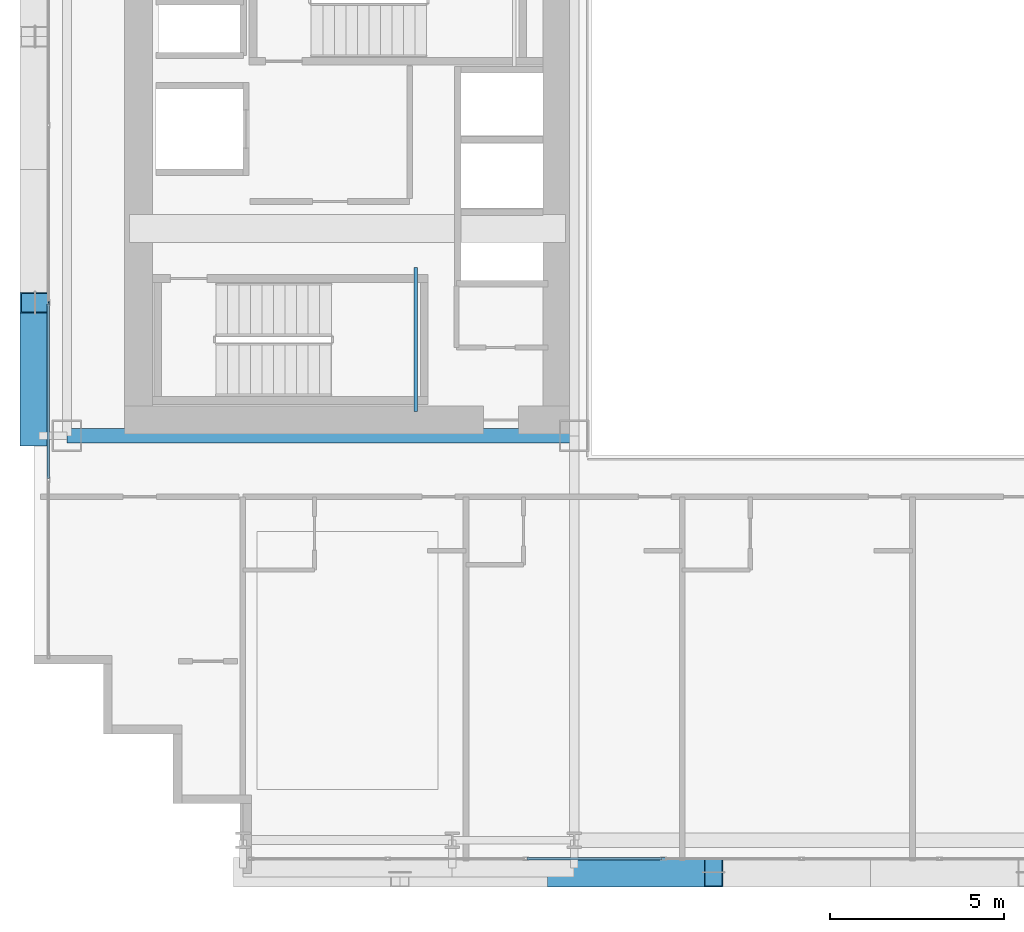
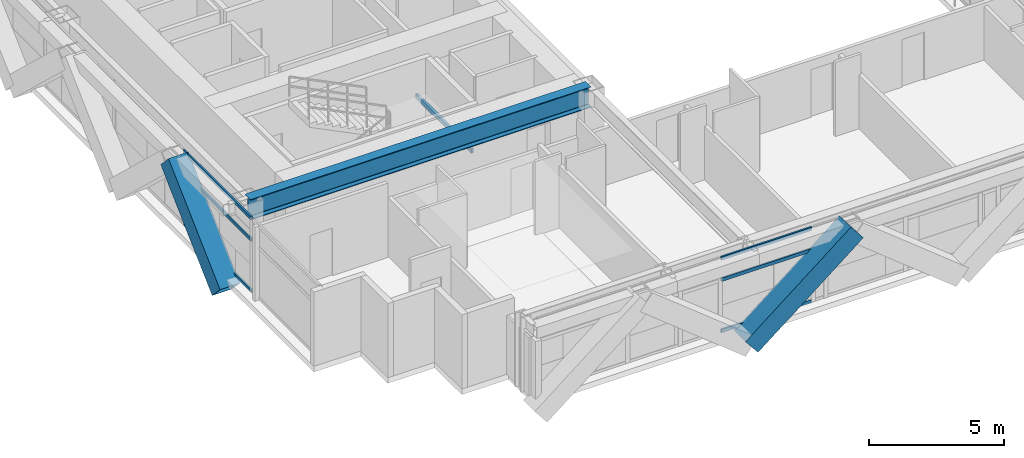
# One storey, part 4 of 35: 8 members, 2 beams, 2 elements without a shape of their own.
"""IFC4 building model written with IfcOpenShell, lengths in metres."""

from ifc_helpers import new_model, si_unit, direction, frame, origin, origin_2d, place, context, subcontext, project, spatial, hollow_rectangle, i_section, extrude, source, transform, mapped, material, layer, layer_set, material_profile, profile_set, type_object, element, aggregate, save


model = new_model("IFC4")

# Units and contexts
model_context = context("Model", 3, precision=1e-05, world=origin(), true_north=direction((0.0, 1.0)))
body_context = subcontext(model_context, "Body", "Model", "MODEL_VIEW")
ifc_project = project(units=[si_unit("LENGTHUNIT", "METRE"), si_unit("AREAUNIT", "SQUARE_METRE"), si_unit("VOLUMEUNIT", "CUBIC_METRE"), si_unit("PLANEANGLEUNIT", "RADIAN"), si_unit("MASSUNIT", "GRAM", prefix="KILO")], contexts=[model_context])

# Site, building, storey
site_placement = place(None, origin())
site = spatial("IfcSite", under=ifc_project, at=site_placement, CompositionType="ELEMENT")
building_placement = place(site_placement, origin())
building = spatial("IfcBuilding", under=site, at=building_placement, Name="Ocotamira Hotel", CompositionType="ELEMENT")
storey_placement = place(building_placement, frame((0.0, 0.0, 49.199951171875)))
storey = spatial("IfcBuildingStorey", under=building, at=storey_placement, Name="L11", CompositionType="ELEMENT", Elevation=49.199951171875)

# Beams
ifc_material_1 = material(Name="Steel ASTM A500 Grade C", Category="steel")
ifc_material_profile_1 = material_profile(ifc_material_1, hollow_rectangle(XDim=0.10009765625, YDim=0.199951171875, WallThickness=0.008056640625, at=origin_2d()), Name="HSS200X100X8")
ifc_profile_set_1 = profile_set([ifc_material_profile_1], Name="Steel ASTM A500 Grade C")
beam_type_1 = type_object("IfcBeamType", Name="BM-STLDG-HSS200", PredefinedType="BEAM", material=ifc_profile_set_1)
shared_shape_1 = source(origin(), body_context, "Body", "SweptSolid", [
    extrude(hollow_rectangle(XDim=0.10009765625, YDim=0.199951171875, WallThickness=0.008056640625, at=origin_2d()), origin(), (0.0, 0.0, 1.0), 4.1201171875),
])
beam_1_placement = place(storey_placement, frame((18.949951171875, 15.25, 1.5), z_axis=(0.0, 1.0, 0.0), x_axis=(-1.0, 0.0, 0.0)))
element("IfcBeam", 1, at=beam_1_placement, inside=storey, type_object=beam_type_1, Name="L11 Stair ST-1 Landing Bearer 1", PredefinedType="BEAM", context=body_context, shape_type="MappedRepresentation", body=[
    mapped(shared_shape_1, transform((0.0, 0.0, 0.0), scale=1.0)),
])
ifc_material_2 = material(Name="Steel ASTM A992 Grade 50", Category="steel")
ifc_material_profile_2 = material_profile(ifc_material_2, i_section(OverallWidth=0.41796875, OverallDepth=0.927001953125, WebThickness=0.019287109375, FlangeThickness=0.031982421875, FilletRadius=0.02392578125, at=origin_2d()), Name="W36X231")
ifc_profile_set_2 = profile_set([ifc_material_profile_2], Name="Steel ASTM A992 Grade 50")
beam_type_2 = type_object("IfcBeamType", Name="BM-GIRD-W36X231", PredefinedType="BEAM", material=ifc_profile_set_2)
shared_shape_2 = source(origin(), body_context, "Body", "SweptSolid", [
    extrude(i_section(OverallWidth=0.41796875, OverallDepth=0.927001953125, WebThickness=0.019287109375, FlangeThickness=0.031982421875, FilletRadius=0.02392578125, at=origin_2d()), origin(), (0.0, 0.0, 1.0), 14.550048828125),
])
beam_2_placement = place(storey_placement, frame((8.949951171875, 14.550048828125, 2.886474609375), z_axis=(1.0, 0.0, 0.0), x_axis=(0.0, 1.0, 0.0)))
element("IfcBeam", 2, at=beam_2_placement, inside=storey, type_object=beam_type_2, Name="L11 Girder Y14.55 X8.95-23.5", PredefinedType="BEAM", context=body_context, shape_type="MappedRepresentation", body=[
    mapped(shared_shape_2, transform((0.0, 0.0, 0.0), scale=1.0)),
])

# Members
ifc_material_3 = material(Name="Pale-metal coated steel ASTM A913 Grade 65", Category="steel")
ifc_material_profile_3 = material_profile(ifc_material_3, hollow_rectangle(XDim=0.85009765625, YDim=0.85009765625, WallThickness=0.035888671875, at=origin_2d()), Name="BOX850X850X36")
ifc_profile_set_3 = profile_set([ifc_material_profile_3], Name="Pale-metal coated steel ASTM A913 Grade 65")
member_type_1 = type_object("IfcMemberType", Name="MEM-EXO-BOX850", PredefinedType="BRACE", material=ifc_profile_set_3)
shared_shape_3 = source(origin(), body_context, "Body", "SweptSolid", [
    extrude(hollow_rectangle(XDim=0.85009765625, YDim=0.85009765625, WallThickness=0.035888671875, at=origin_2d()), origin(), (0.0, 0.0, 1.0), 5.24658203125),
])
member_1_placement = place(storey_placement, frame((8.030029296875, 14.550048828125, -0.5), z_axis=(0.0, 0.727442733726, 0.686168397078), x_axis=(-1.0, 0.0, 0.0)))
element("IfcMember", 3, at=member_1_placement, inside=storey, type_object=member_type_1, Name="L11 Exoskeleton Diagrid W0.1", PredefinedType="BRACE", context=body_context, shape_type="MappedRepresentation", body=[
    mapped(shared_shape_3, transform((0.0, 0.0, 0.0), scale=1.0)),
])
shared_shape_4 = source(origin(), body_context, "Body", "SweptSolid", [
    extrude(hollow_rectangle(XDim=0.85009765625, YDim=0.85009765625, WallThickness=0.035888671875, at=origin_2d()), origin(), (0.0, 0.0, 1.0), 5.762939453125),
])
member_2_placement = place(storey_placement, frame((23.0, 2.030029296875, -0.5), z_axis=(0.780860543151, 0.0, 0.624705380279), x_axis=(0.0, 1.0, 0.0)))
element("IfcMember", 4, at=member_2_placement, inside=storey, type_object=member_type_1, Name="L11 Exoskeleton Diagrid S1.1", PredefinedType="BRACE", context=body_context, shape_type="MappedRepresentation", body=[
    mapped(shared_shape_4, transform((0.0, 0.0, 0.0), scale=1.0)),
])

# Curtain wall, members
ifc_material_4 = material(Name="Anodised pale-metal aluminium and solar glass", Category="aluminium")
ifc_layer = layer(ifc_material_4, 0.179931640625)
ifc_layer_set = layer_set([ifc_layer], Name="Anodised pale-metal aluminium and solar glass")
curtain_wall_type = type_object("IfcCurtainWallType", Name="CW-SYS2-Z1", PredefinedType="NOTDEFINED", material=ifc_layer_set)
curtain_wall_1_placement = place(storey_placement, origin())
curtain_wall_1 = element("IfcCurtainWall", 5, at=curtain_wall_1_placement, inside=storey, type_object=curtain_wall_type, Name="L11 Curtain Wall CW-2 CW-L11-S1", PredefinedType="NOTDEFINED")
ifc_material_5 = material(Name="Anodised pale-metal aluminium 6063-T6", Category="aluminium")
ifc_material_profile_4 = material_profile(ifc_material_5, hollow_rectangle(XDim=0.074951171875, YDim=0.14990234375, WallThickness=0.006103515625, at=origin_2d()), Name="HSS150X75X6")
ifc_profile_set_4 = profile_set([ifc_material_profile_4], Name="Anodised pale-metal aluminium 6063-T6")
member_type_2 = type_object("IfcMemberType", Name="CWT-150X75", PredefinedType="USERDEFINED", material=ifc_profile_set_4)
shared_shape_5 = source(origin(), body_context, "Body", "SweptSolid", [
    extrude(hollow_rectangle(XDim=0.074951171875, YDim=0.14990234375, WallThickness=0.006103515625, at=origin_2d()), origin(), (0.0, 0.0, 1.0), 3.87548828125),
])
member_3_placement = place(storey_placement, frame((22.151123046875, 2.419921875, 0.03759765625), z_axis=(1.0, 0.0, 0.0), x_axis=(0.0, 1.0, 0.0)))
member_3 = element("IfcMember", 6, at=member_3_placement, type_object=member_type_2, Name="CW-2 transom 3.1", ObjectType="TRANSOM", PredefinedType="USERDEFINED", context=body_context, shape_type="MappedRepresentation", body=[
    mapped(shared_shape_5, transform((0.0, 0.0, 0.0), scale=1.0)),
])
member_4_placement = place(storey_placement, frame((22.151123046875, 2.419921875, 2.35009765625), z_axis=(1.0, 0.0, 0.0), x_axis=(0.0, 1.0, 0.0)))
member_4 = element("IfcMember", 7, at=member_4_placement, type_object=member_type_2, Name="CW-2 transom 3.2", ObjectType="TRANSOM", PredefinedType="USERDEFINED", context=body_context, shape_type="MappedRepresentation", body=[
    mapped(shared_shape_5, transform((0.0, 0.0, 0.0), scale=1.0)),
])
member_5_placement = place(storey_placement, frame((22.151123046875, 2.419921875, 3.3125), z_axis=(1.0, 0.0, 0.0), x_axis=(0.0, 1.0, 0.0)))
member_5 = element("IfcMember", 8, at=member_5_placement, type_object=member_type_2, Name="CW-2 transom 3.3", ObjectType="TRANSOM", PredefinedType="USERDEFINED", context=body_context, shape_type="MappedRepresentation", body=[
    mapped(shared_shape_5, transform((0.0, 0.0, 0.0), scale=1.0)),
])
aggregate(curtain_wall_1, [member_3, member_4, member_5])

curtain_wall_2_placement = place(storey_placement, origin())
curtain_wall_2 = element("IfcCurtainWall", 9, at=curtain_wall_2_placement, inside=storey, type_object=curtain_wall_type, Name="L11 Curtain Wall CW-2 CW-L11-W", PredefinedType="NOTDEFINED")
shared_shape_6 = source(origin(), body_context, "Body", "SweptSolid", [
    extrude(hollow_rectangle(XDim=0.074951171875, YDim=0.14990234375, WallThickness=0.006103515625, at=origin_2d()), origin(), (0.0, 0.0, 1.0), 5.005859375),
])
member_6_placement = place(storey_placement, frame((8.419921875, 13.32568359375, 0.03759765625), z_axis=(0.0, 1.0, 0.0), x_axis=(-1.0, 0.0, 0.0)))
member_6 = element("IfcMember", 10, at=member_6_placement, type_object=member_type_2, Name="CW-2 transom 2.1", ObjectType="TRANSOM", PredefinedType="USERDEFINED", context=body_context, shape_type="MappedRepresentation", body=[
    mapped(shared_shape_6, transform((0.0, 0.0, 0.0), scale=1.0)),
])
member_7_placement = place(storey_placement, frame((8.419921875, 13.32568359375, 2.35009765625), z_axis=(0.0, 1.0, 0.0), x_axis=(-1.0, 0.0, 0.0)))
member_7 = element("IfcMember", 11, at=member_7_placement, type_object=member_type_2, Name="CW-2 transom 2.2", ObjectType="TRANSOM", PredefinedType="USERDEFINED", context=body_context, shape_type="MappedRepresentation", body=[
    mapped(shared_shape_6, transform((0.0, 0.0, 0.0), scale=1.0)),
])
member_8_placement = place(storey_placement, frame((8.419921875, 13.32568359375, 3.3125), z_axis=(0.0, 1.0, 0.0), x_axis=(-1.0, 0.0, 0.0)))
member_8 = element("IfcMember", 12, at=member_8_placement, type_object=member_type_2, Name="CW-2 transom 2.3", ObjectType="TRANSOM", PredefinedType="USERDEFINED", context=body_context, shape_type="MappedRepresentation", body=[
    mapped(shared_shape_6, transform((0.0, 0.0, 0.0), scale=1.0)),
])
aggregate(curtain_wall_2, [member_6, member_7, member_8])

save(model, "model.ifc")
